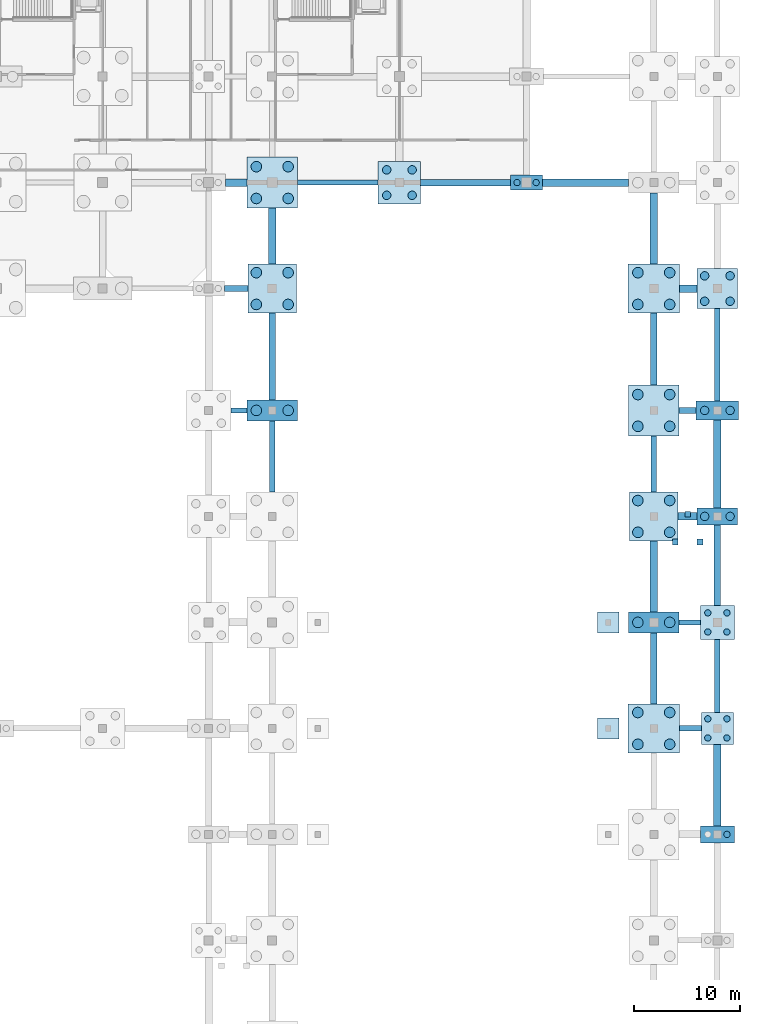
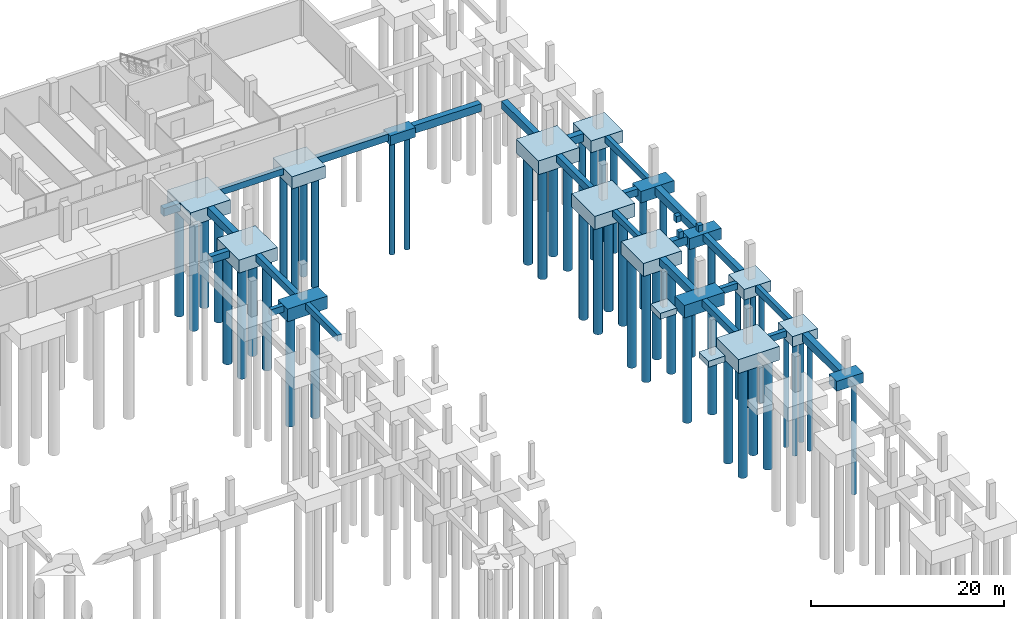
# One storey, part 7 of 19: 51 piles, 45 footings.
"""IFC4 building model written with IfcOpenShell, lengths in metres."""

from ifc_helpers import new_model, si_unit, direction, frame, origin, origin_2d, place, context, subcontext, project, spatial, polyline, rectangle, circle, outline, extrude, material, material_profile, profile_set, type_object, element, save


model = new_model("IFC4")

# Units and contexts
model_context = context("Model", 3, precision=1e-05, world=origin(), true_north=direction((0.0, 1.0)))
body_context = subcontext(model_context, "Body", "Model", "MODEL_VIEW")
ifc_project = project(units=[si_unit("LENGTHUNIT", "METRE"), si_unit("AREAUNIT", "SQUARE_METRE"), si_unit("VOLUMEUNIT", "CUBIC_METRE"), si_unit("PLANEANGLEUNIT", "RADIAN"), si_unit("MASSUNIT", "GRAM", prefix="KILO")], contexts=[model_context])

# Site, building, storey
site_placement = place(None, origin())
site = spatial("IfcSite", under=ifc_project, at=site_placement, CompositionType="ELEMENT")
building_placement = place(site_placement, origin())
building = spatial("IfcBuilding", under=site, at=building_placement, Name="Mersad Railyard Sports Hall", CompositionType="ELEMENT")
storey_placement = place(building_placement, frame((0.0, 0.0, -4.5)))
storey = spatial("IfcBuildingStorey", under=building, at=storey_placement, Name="B1", CompositionType="ELEMENT", Elevation=-4.5)

# Footings
ifc_material = material(Name="Concrete C40/50", Category="concrete")
footing_type_1 = type_object("IfcFootingType", Name="STR-FT-FB01", PredefinedType="FOOTING_BEAM", material=ifc_material)
footing_1_placement = place(storey_placement, frame((0.0, 0.0, -0.800048828125)))
element("IfcFooting", 1, at=footing_1_placement, inside=storey, type_object=footing_type_1, Name="Ground beam FB01-0043", PredefinedType="FOOTING_BEAM", context=body_context, shape_type="SweptSolid", body=[
    extrude(outline(polyline([(175.449951171875, 43.25), (177.5, 43.25), (177.5, 43.75), (175.449951171875, 43.75), (175.449951171875, 43.25)])), origin(), (0.0, 0.0, 1.0), 0.800048828125),
])
footing_2_placement = place(storey_placement, frame((0.0, 0.0, -0.800048828125)))
element("IfcFooting", 2, at=footing_2_placement, inside=storey, type_object=footing_type_1, Name="Ground beam FB01-0052", PredefinedType="FOOTING_BEAM", context=body_context, shape_type="SweptSolid", body=[
    extrude(outline(polyline([(175.39990234375, 53.25), (177.39990234375, 53.25), (177.39990234375, 53.75), (175.39990234375, 53.75), (175.39990234375, 53.25)])), origin(), (0.0, 0.0, 1.0), 0.800048828125),
])
footing_3_placement = place(storey_placement, frame((0.0, 0.0, -0.800048828125)))
element("IfcFooting", 3, at=footing_3_placement, inside=storey, type_object=footing_type_1, Name="Ground beam FB01-0055", PredefinedType="FOOTING_BEAM", context=body_context, shape_type="SweptSolid", body=[
    extrude(outline(polyline([(133.10009765625, 73.25), (134.60009765625, 73.25), (134.60009765625, 73.75), (133.10009765625, 73.75), (133.10009765625, 73.25)])), origin(), (0.0, 0.0, 1.0), 0.800048828125),
])
footing_4_placement = place(storey_placement, frame((0.0, 0.0, -0.800048828125)))
element("IfcFooting", 4, at=footing_4_placement, inside=storey, type_object=footing_type_1, Name="Ground beam FB01-0076", PredefinedType="FOOTING_BEAM", context=body_context, shape_type="SweptSolid", body=[
    extrude(outline(polyline([(139.39990234375, 94.75), (147.0, 94.75), (147.0, 95.25), (139.39990234375, 95.25), (139.39990234375, 94.75)])), origin(), (0.0, 0.0, 1.0), 0.800048828125),
])
footing_5_placement = place(storey_placement, frame((0.0, 0.0, -0.800048828125)))
element("IfcFooting", 5, at=footing_5_placement, inside=storey, type_object=footing_type_1, Name="Ground beam FB01-0166", PredefinedType="FOOTING_BEAM", context=body_context, shape_type="SweptSolid", body=[
    extrude(outline(polyline([(136.75, 65.800048828125), (137.25, 65.800048828125), (137.25, 72.5), (136.75, 72.5), (136.75, 65.800048828125)])), origin(), (0.0, 0.0, 1.0), 0.800048828125),
])
footing_6_placement = place(storey_placement, frame((0.0, 0.0, -0.800048828125)))
element("IfcFooting", 6, at=footing_6_placement, inside=storey, type_object=footing_type_1, Name="Ground beam FB01-0181", PredefinedType="FOOTING_BEAM", context=body_context, shape_type="SweptSolid", body=[
    extrude(outline(polyline([(172.75, 65.800048828125), (173.25, 65.800048828125), (173.25, 71.10009765625), (172.75, 71.10009765625), (172.75, 65.800048828125)])), origin(), (0.0, 0.0, 1.0), 0.800048828125),
])
footing_7_placement = place(storey_placement, frame((0.0, 0.0, -0.800048828125)))
element("IfcFooting", 7, at=footing_7_placement, inside=storey, type_object=footing_type_1, Name="Ground beam FB01-0190", PredefinedType="FOOTING_BEAM", context=body_context, shape_type="SweptSolid", body=[
    extrude(outline(polyline([(178.75, 45.0), (179.25, 45.0), (179.25, 51.89990234375), (178.75, 51.89990234375), (178.75, 45.0)])), origin(), (0.0, 0.0, 1.0), 0.800048828125),
])
footing_8_placement = place(storey_placement, frame((0.0, 0.0, -0.800048828125)))
element("IfcFooting", 8, at=footing_8_placement, inside=storey, type_object=footing_type_1, Name="Ground beam FB01-0193", PredefinedType="FOOTING_BEAM", context=body_context, shape_type="SweptSolid", body=[
    extrude(outline(polyline([(178.75, 74.39990234375), (179.25, 74.39990234375), (179.25, 83.10009765625), (178.75, 83.10009765625), (178.75, 74.39990234375)])), origin(), (0.0, 0.0, 1.0), 0.800048828125),
])
footing_type_2 = type_object("IfcFootingType", Name="STR-FT-FB02", PredefinedType="FOOTING_BEAM", material=ifc_material)
footing_9_placement = place(storey_placement, frame((0.0, 0.0, -0.89990234375)))
element("IfcFooting", 9, at=footing_9_placement, inside=storey, type_object=footing_type_2, Name="Ground beam FB02-0056", PredefinedType="FOOTING_BEAM", context=body_context, shape_type="SweptSolid", body=[
    extrude(outline(polyline([(175.39990234375, 73.199951171875), (177.0, 73.199951171875), (177.0, 73.800048828125), (175.39990234375, 73.800048828125), (175.39990234375, 73.199951171875)])), origin(), (0.0, 0.0, 1.0), 0.89990234375),
])
footing_10_placement = place(storey_placement, frame((0.0, 0.0, -0.89990234375)))
element("IfcFooting", 10, at=footing_10_placement, inside=storey, type_object=footing_type_2, Name="Ground beam FB02-0065", PredefinedType="FOOTING_BEAM", context=body_context, shape_type="SweptSolid", body=[
    extrude(outline(polyline([(132.5, 84.699951171875), (134.699951171875, 84.699951171875), (134.699951171875, 85.300048828125), (132.5, 85.300048828125), (132.5, 84.699951171875)])), origin(), (0.0, 0.0, 1.0), 0.89990234375),
])
footing_11_placement = place(storey_placement, frame((0.0, 0.0, -0.89990234375)))
element("IfcFooting", 11, at=footing_11_placement, inside=storey, type_object=footing_type_2, Name="Ground beam FB02-0077", PredefinedType="FOOTING_BEAM", context=body_context, shape_type="SweptSolid", body=[
    extrude(outline(polyline([(151.0, 94.699951171875), (159.5, 94.699951171875), (159.5, 95.300048828125), (151.0, 95.300048828125), (151.0, 94.699951171875)])), origin(), (0.0, 0.0, 1.0), 0.89990234375),
])
footing_12_placement = place(storey_placement, frame((0.0, 0.0, -0.89990234375)))
element("IfcFooting", 12, at=footing_12_placement, inside=storey, type_object=footing_type_2, Name="Ground beam FB02-0167", PredefinedType="FOOTING_BEAM", context=body_context, shape_type="SweptSolid", body=[
    extrude(outline(polyline([(136.699951171875, 74.5), (137.300048828125, 74.5), (137.300048828125, 82.699951171875), (136.699951171875, 82.699951171875), (136.699951171875, 74.5)])), origin(), (0.0, 0.0, 1.0), 0.89990234375),
])
footing_13_placement = place(storey_placement, frame((0.0, 0.0, -0.89990234375)))
element("IfcFooting", 13, at=footing_13_placement, inside=storey, type_object=footing_type_2, Name="Ground beam FB02-0179", PredefinedType="FOOTING_BEAM", context=body_context, shape_type="SweptSolid", body=[
    extrude(outline(polyline([(172.699951171875, 45.800048828125), (173.300048828125, 45.800048828125), (173.300048828125, 52.5), (172.699951171875, 52.5), (172.699951171875, 45.800048828125)])), origin(), (0.0, 0.0, 1.0), 0.89990234375),
])
footing_14_placement = place(storey_placement, frame((0.0, 0.0, -0.89990234375)))
element("IfcFooting", 14, at=footing_14_placement, inside=storey, type_object=footing_type_2, Name="Ground beam FB02-0182", PredefinedType="FOOTING_BEAM", context=body_context, shape_type="SweptSolid", body=[
    extrude(outline(polyline([(172.699951171875, 75.89990234375), (173.300048828125, 75.89990234375), (173.300048828125, 82.699951171875), (172.699951171875, 82.699951171875), (172.699951171875, 75.89990234375)])), origin(), (0.0, 0.0, 1.0), 0.89990234375),
])
footing_15_placement = place(storey_placement, frame((0.0, 0.0, -0.89990234375)))
element("IfcFooting", 15, at=footing_15_placement, inside=storey, type_object=footing_type_2, Name="Ground beam FB02-0191", PredefinedType="FOOTING_BEAM", context=body_context, shape_type="SweptSolid", body=[
    extrude(outline(polyline([(178.699951171875, 55.10009765625), (179.300048828125, 55.10009765625), (179.300048828125, 62.699951171875), (178.699951171875, 62.699951171875), (178.699951171875, 55.10009765625)])), origin(), (0.0, 0.0, 1.0), 0.89990234375),
])
footing_type_3 = type_object("IfcFootingType", Name="STR-FT-FB03", PredefinedType="FOOTING_BEAM", material=ifc_material)
footing_16_placement = place(storey_placement, frame((0.0, 0.0, -1.0)))
element("IfcFooting", 16, at=footing_16_placement, inside=storey, type_object=footing_type_3, Name="Ground beam FB03-0054", PredefinedType="FOOTING_BEAM", context=body_context, shape_type="SweptSolid", body=[
    extrude(outline(polyline([(175.300048828125, 63.14990234375), (177.10009765625, 63.14990234375), (177.10009765625, 63.85009765625), (175.300048828125, 63.85009765625), (175.300048828125, 63.14990234375)])), origin(), (0.0, 0.0, 1.0), 1.0),
])
footing_17_placement = place(storey_placement, frame((0.0, 0.0, -1.0)))
element("IfcFooting", 17, at=footing_17_placement, inside=storey, type_object=footing_type_3, Name="Ground beam FB03-0066", PredefinedType="FOOTING_BEAM", context=body_context, shape_type="SweptSolid", body=[
    extrude(outline(polyline([(175.449951171875, 84.64990234375), (177.10009765625, 84.64990234375), (177.10009765625, 85.35009765625), (175.449951171875, 85.35009765625), (175.449951171875, 84.64990234375)])), origin(), (0.0, 0.0, 1.0), 1.0),
])
footing_18_placement = place(storey_placement, frame((0.0, 0.0, -1.0)))
element("IfcFooting", 18, at=footing_18_placement, inside=storey, type_object=footing_type_3, Name="Ground beam FB03-0075", PredefinedType="FOOTING_BEAM", context=body_context, shape_type="SweptSolid", body=[
    extrude(outline(polyline([(132.60009765625, 94.64990234375), (134.60009765625, 94.64990234375), (134.60009765625, 95.35009765625), (132.60009765625, 95.35009765625), (132.60009765625, 94.64990234375)])), origin(), (0.0, 0.0, 1.0), 1.0),
])
footing_19_placement = place(storey_placement, frame((0.0, 0.0, -1.0)))
element("IfcFooting", 19, at=footing_19_placement, inside=storey, type_object=footing_type_3, Name="Ground beam FB03-0078", PredefinedType="FOOTING_BEAM", context=body_context, shape_type="SweptSolid", body=[
    extrude(outline(polyline([(162.5, 94.64990234375), (170.60009765625, 94.64990234375), (170.60009765625, 95.35009765625), (162.5, 95.35009765625), (162.5, 94.64990234375)])), origin(), (0.0, 0.0, 1.0), 1.0),
])
footing_20_placement = place(storey_placement, frame((0.0, 0.0, -1.0)))
element("IfcFooting", 20, at=footing_20_placement, inside=storey, type_object=footing_type_3, Name="Ground beam FB03-0168", PredefinedType="FOOTING_BEAM", context=body_context, shape_type="SweptSolid", body=[
    extrude(outline(polyline([(136.64990234375, 87.300048828125), (137.35009765625, 87.300048828125), (137.35009765625, 92.60009765625), (136.64990234375, 92.60009765625), (136.64990234375, 87.300048828125)])), origin(), (0.0, 0.0, 1.0), 1.0),
])
footing_21_placement = place(storey_placement, frame((0.0, 0.0, -1.0)))
element("IfcFooting", 21, at=footing_21_placement, inside=storey, type_object=footing_type_3, Name="Ground beam FB03-0180", PredefinedType="FOOTING_BEAM", context=body_context, shape_type="SweptSolid", body=[
    extrude(outline(polyline([(172.64990234375, 54.5), (173.35009765625, 54.5), (173.35009765625, 61.199951171875), (172.64990234375, 61.199951171875), (172.64990234375, 54.5)])), origin(), (0.0, 0.0, 1.0), 1.0),
])
footing_22_placement = place(storey_placement, frame((0.0, 0.0, -1.0)))
element("IfcFooting", 22, at=footing_22_placement, inside=storey, type_object=footing_type_3, Name="Ground beam FB03-0183", PredefinedType="FOOTING_BEAM", context=body_context, shape_type="SweptSolid", body=[
    extrude(outline(polyline([(172.64990234375, 87.300048828125), (173.35009765625, 87.300048828125), (173.35009765625, 94.0), (172.64990234375, 94.0), (172.64990234375, 87.300048828125)])), origin(), (0.0, 0.0, 1.0), 1.0),
])
footing_23_placement = place(storey_placement, frame((0.0, 0.0, -1.0)))
element("IfcFooting", 23, at=footing_23_placement, inside=storey, type_object=footing_type_3, Name="Ground beam FB03-0189", PredefinedType="FOOTING_BEAM", context=body_context, shape_type="SweptSolid", body=[
    extrude(outline(polyline([(178.64990234375, 34.300048828125), (179.35009765625, 34.300048828125), (179.35009765625, 42.0), (178.64990234375, 42.0), (178.64990234375, 34.300048828125)])), origin(), (0.0, 0.0, 1.0), 1.0),
])
footing_24_placement = place(storey_placement, frame((0.0, 0.0, -1.0)))
element("IfcFooting", 24, at=footing_24_placement, inside=storey, type_object=footing_type_3, Name="Ground beam FB03-0192", PredefinedType="FOOTING_BEAM", context=body_context, shape_type="SweptSolid", body=[
    extrude(outline(polyline([(178.64990234375, 64.300048828125), (179.35009765625, 64.300048828125), (179.35009765625, 72.60009765625), (178.64990234375, 72.60009765625), (178.64990234375, 64.300048828125)])), origin(), (0.0, 0.0, 1.0), 1.0),
])
footing_type_4 = type_object("IfcFootingType", Name="STR-FT-PC01", PredefinedType="PILE_CAP", material=ifc_material)
footing_25_placement = place(storey_placement, frame((161.0, 95.0, -1.2001953125), z_axis=(0.0, 0.0, 1.0), x_axis=(1.0, 0.0, 0.0)))
element("IfcFooting", 25, at=footing_25_placement, inside=storey, type_object=footing_type_4, Name="Pile cap PC01 at (161.0,95.0)", PredefinedType="PILE_CAP", context=body_context, shape_type="SweptSolid", body=[
    extrude(rectangle(XDim=3.0, YDim=1.39990234375, at=origin_2d()), origin(), (0.0, 0.0, 1.0), 1.199951171875),
])
footing_type_5 = type_object("IfcFootingType", Name="STR-FT-PC02", PredefinedType="PILE_CAP", material=ifc_material)
footing_26_placement = place(storey_placement, frame((179.0, 33.5, -1.25), z_axis=(0.0, 0.0, 1.0), x_axis=(1.0, 0.0, 0.0)))
element("IfcFooting", 26, at=footing_26_placement, inside=storey, type_object=footing_type_5, Name="Pile cap PC02 at (179.0,33.5)", PredefinedType="PILE_CAP", context=body_context, shape_type="SweptSolid", body=[
    extrude(rectangle(XDim=3.199951171875, YDim=1.60009765625, at=origin_2d()), origin(), (0.0, 0.0, 1.0), 1.25),
])
footing_type_6 = type_object("IfcFootingType", Name="STR-FT-PC03", PredefinedType="PILE_CAP", material=ifc_material)
footing_27_placement = place(storey_placement, frame((179.0, 43.5, -1.2998046875), z_axis=(0.0, 0.0, 1.0), x_axis=(1.0, 0.0, 0.0)))
element("IfcFooting", 27, at=footing_27_placement, inside=storey, type_object=footing_type_6, Name="Pile cap PC03 at (179.0,43.5)", PredefinedType="PILE_CAP", context=body_context, shape_type="SweptSolid", body=[
    extrude(rectangle(XDim=3.0, YDim=3.0, at=origin_2d()), origin(), (0.0, 0.0, 1.0), 1.300048828125),
])
footing_type_7 = type_object("IfcFootingType", Name="STR-FT-PC04", PredefinedType="PILE_CAP", material=ifc_material)
footing_28_placement = place(storey_placement, frame((179.0, 53.5, -1.35009765625), z_axis=(0.0, 0.0, 1.0), x_axis=(1.0, 0.0, 0.0)))
element("IfcFooting", 28, at=footing_28_placement, inside=storey, type_object=footing_type_7, Name="Pile cap PC04 at (179.0,53.5)", PredefinedType="PILE_CAP", context=body_context, shape_type="SweptSolid", body=[
    extrude(rectangle(XDim=3.199951171875, YDim=3.199951171875, at=origin_2d()), origin(), (0.0, 0.0, 1.0), 1.35009765625),
])
footing_type_8 = type_object("IfcFootingType", Name="STR-FT-PC05", PredefinedType="PILE_CAP", material=ifc_material)
footing_29_placement = place(storey_placement, frame((179.0, 63.5, -1.39990234375), z_axis=(0.0, 0.0, 1.0), x_axis=(1.0, 0.0, 0.0)))
element("IfcFooting", 29, at=footing_29_placement, inside=storey, type_object=footing_type_8, Name="Pile cap PC05 at (179.0,63.5)", PredefinedType="PILE_CAP", context=body_context, shape_type="SweptSolid", body=[
    extrude(rectangle(XDim=3.800048828125, YDim=1.60009765625, at=origin_2d()), origin(), (0.0, 0.0, 1.0), 1.39990234375),
])
footing_type_9 = type_object("IfcFootingType", Name="STR-FT-PC06", PredefinedType="PILE_CAP", material=ifc_material)
footing_30_placement = place(storey_placement, frame((179.0, 73.5, -1.4501953125), z_axis=(0.0, 0.0, 1.0), x_axis=(1.0, 0.0, 0.0)))
element("IfcFooting", 30, at=footing_30_placement, inside=storey, type_object=footing_type_9, Name="Pile cap PC06 at (179.0,73.5)", PredefinedType="PILE_CAP", context=body_context, shape_type="SweptSolid", body=[
    extrude(rectangle(XDim=4.0, YDim=1.800048828125, at=origin_2d()), origin(), (0.0, 0.0, 1.0), 1.449951171875),
])
footing_type_10 = type_object("IfcFootingType", Name="STR-FT-PC07", PredefinedType="PILE_CAP", material=ifc_material)
footing_31_placement = place(storey_placement, frame((179.0, 85.0, -1.5), z_axis=(0.0, 0.0, 1.0), x_axis=(1.0, 0.0, 0.0)))
element("IfcFooting", 31, at=footing_31_placement, inside=storey, type_object=footing_type_10, Name="Pile cap PC07 at (179.0,85.0)", PredefinedType="PILE_CAP", context=body_context, shape_type="SweptSolid", body=[
    extrude(rectangle(XDim=3.800048828125, YDim=3.800048828125, at=origin_2d()), origin(), (0.0, 0.0, 1.0), 1.5),
])
footing_type_11 = type_object("IfcFootingType", Name="STR-FT-PC08", PredefinedType="PILE_CAP", material=ifc_material)
footing_32_placement = place(storey_placement, frame((149.0, 95.0, -1.5498046875), z_axis=(0.0, 0.0, 1.0), x_axis=(1.0, 0.0, 0.0)))
element("IfcFooting", 32, at=footing_32_placement, inside=storey, type_object=footing_type_11, Name="Pile cap PC08 at (149.0,95.0)", PredefinedType="PILE_CAP", context=body_context, shape_type="SweptSolid", body=[
    extrude(rectangle(XDim=4.0, YDim=4.0, at=origin_2d()), origin(), (0.0, 0.0, 1.0), 1.550048828125),
])
footing_type_12 = type_object("IfcFootingType", Name="STR-FT-PC11", PredefinedType="PILE_CAP", material=ifc_material)
for number, where, z_axis, x_axis, name in (
    (33, (137.0, 73.5, -1.60009765625), (0.0, 0.0, 1.0), (1.0, 0.0, 0.0), "Pile cap PC11 at (137.0,73.5)"),
    (34, (173.0, 53.5, -1.60009765625), (0.0, 0.0, 1.0), (1.0, 0.0, 0.0), "Pile cap PC11 at (173.0,53.5)"),
):
    element("IfcFooting", number, at=place(storey_placement, frame(where, z_axis=z_axis, x_axis=x_axis)), inside=storey, type_object=footing_type_12, Name=name, PredefinedType="PILE_CAP", context=body_context, shape_type="SweptSolid", body=[
        extrude(rectangle(XDim=4.800048828125, YDim=2.0, at=origin_2d()), origin(), (0.0, 0.0, 1.0), 1.60009765625),
    ])
footing_type_13 = type_object("IfcFootingType", Name="STR-FT-PC12", PredefinedType="PILE_CAP", material=ifc_material)
for number, where, z_axis, x_axis, name in (
    (35, (137.0, 85.0, -1.64990234375), (0.0, 0.0, 1.0), (1.0, 0.0, 0.0), "Pile cap PC12 at (137.0,85.0)"),
    (36, (173.0, 63.5, -1.64990234375), (0.0, 0.0, 1.0), (1.0, 0.0, 0.0), "Pile cap PC12 at (173.0,63.5)"),
):
    element("IfcFooting", number, at=place(storey_placement, frame(where, z_axis=z_axis, x_axis=x_axis)), inside=storey, type_object=footing_type_13, Name=name, PredefinedType="PILE_CAP", context=body_context, shape_type="SweptSolid", body=[
        extrude(rectangle(XDim=4.60009765625, YDim=4.60009765625, at=origin_2d()), origin(), (0.0, 0.0, 1.0), 1.64990234375),
    ])
footing_type_14 = type_object("IfcFootingType", Name="STR-FT-PC13", PredefinedType="PILE_CAP", material=ifc_material)
for number, where, z_axis, x_axis, name in (
    (37, (137.0, 95.0, -1.7001953125), (0.0, 0.0, 1.0), (1.0, 0.0, 0.0), "Pile cap PC13 at (137.0,95.0)"),
    (38, (173.0, 73.5, -1.7001953125), (0.0, 0.0, 1.0), (1.0, 0.0, 0.0), "Pile cap PC13 at (173.0,73.5)"),
):
    element("IfcFooting", number, at=place(storey_placement, frame(where, z_axis=z_axis, x_axis=x_axis)), inside=storey, type_object=footing_type_14, Name=name, PredefinedType="PILE_CAP", context=body_context, shape_type="SweptSolid", body=[
        extrude(rectangle(XDim=4.800048828125, YDim=4.800048828125, at=origin_2d()), origin(), (0.0, 0.0, 1.0), 1.699951171875),
    ])
footing_type_15 = type_object("IfcFootingType", Name="STR-FT-PC14", PredefinedType="PILE_CAP", material=ifc_material)
for number, where, z_axis, x_axis, name in (
    (39, (173.0, 43.5, -1.75), (0.0, 0.0, 1.0), (1.0, 0.0, 0.0), "Pile cap PC14 at (173.0,43.5)"),
    (40, (173.0, 85.0, -1.75), (0.0, 0.0, 1.0), (1.0, 0.0, 0.0), "Pile cap PC14 at (173.0,85.0)"),
):
    element("IfcFooting", number, at=place(storey_placement, frame(where, z_axis=z_axis, x_axis=x_axis)), inside=storey, type_object=footing_type_15, Name=name, PredefinedType="PILE_CAP", context=body_context, shape_type="SweptSolid", body=[
        extrude(rectangle(XDim=4.89990234375, YDim=4.60009765625, at=origin_2d()), origin(), (0.0, 0.0, 1.0), 1.75),
    ])
footing_type_16 = type_object("IfcFootingType", Name="STR-FT-PF01", PredefinedType="PAD_FOOTING", material=ifc_material)
for number, where, z_axis, x_axis, name in (
    (41, (175.02490234375, 61.10009765625, 1.9501953125), (0.0, 0.0, 1.0), (1.0, 0.0, 0.0), "Lift PL-06 pit corner pad 1"),
    (42, (177.375, 61.10009765625, 1.9501953125), (0.0, 0.0, 1.0), (1.0, 0.0, 0.0), "Lift PL-06 pit corner pad 2"),
    (43, (176.199951171875, 63.699951171875, 1.9501953125), (0.0, 0.0, 1.0), (1.0, 0.0, 0.0), "Lift PL-06 pit corner pad 3"),
):
    element("IfcFooting", number, at=place(storey_placement, frame(where, z_axis=z_axis, x_axis=x_axis)), inside=storey, type_object=footing_type_16, Name=name, PredefinedType="PAD_FOOTING", context=body_context, shape_type="SweptSolid", body=[
        extrude(rectangle(XDim=0.550048828125, YDim=0.550048828125, at=origin_2d()), origin(), (0.0, 0.0, 1.0), 0.800048828125),
    ])
footing_type_17 = type_object("IfcFootingType", Name="STR-FT-PF02", PredefinedType="PAD_FOOTING", material=ifc_material)
for number, where, z_axis, x_axis, name in (
    (44, (168.699951171875, 43.5, -0.75), (0.0, 0.0, 1.0), (1.0, 0.0, 0.0), "Stand raker pad footing PF02 (168.7,43.5)"),
    (45, (168.699951171875, 53.5, -0.75), (0.0, 0.0, 1.0), (1.0, 0.0, 0.0), "Stand raker pad footing PF02 (168.7,53.5)"),
):
    element("IfcFooting", number, at=place(storey_placement, frame(where, z_axis=z_axis, x_axis=x_axis)), inside=storey, type_object=footing_type_17, Name=name, PredefinedType="PAD_FOOTING", context=body_context, shape_type="SweptSolid", body=[
        extrude(rectangle(XDim=2.0, YDim=2.0, at=origin_2d()), origin(), (0.0, 0.0, 1.0), 0.75),
    ])

# Piles
ifc_material_profile_1 = material_profile(ifc_material, circle(Radius=0.5, at=origin_2d()), Name="BORED PILE D1000")
ifc_profile_set_1 = profile_set([ifc_material_profile_1], Name="Concrete C40/50")
pile_type_1 = type_object("IfcPileType", Name="STR-PL-P1000", PredefinedType="BORED", material=ifc_profile_set_1)
for number, where, z_axis, x_axis, name in (
    (46, (135.5, 73.5, -1.449951171875), (0.0, 0.0, -1.0), (1.0, 0.0, 0.0), "Bored pile PL03-0291"),
    (47, (138.5, 73.5, -1.449951171875), (0.0, 0.0, -1.0), (1.0, 0.0, 0.0), "Bored pile PL03-0292"),
):
    element("IfcPile", number, at=place(storey_placement, frame(where, z_axis=z_axis, x_axis=x_axis)), inside=storey, type_object=pile_type_1, Name=name, PredefinedType="BORED", context=body_context, shape_type="SweptSolid", body=[
        extrude(circle(Radius=0.5, at=origin_2d()), origin(), (0.0, 0.0, 1.0), 14.050048828125),
    ])
for number, where, z_axis, x_axis, name in (
    (48, (135.5, 83.5, -1.5), (0.0, 0.0, -1.0), (1.0, 0.0, 0.0), "Bored pile PL03-0293"),
    (49, (138.5, 83.5, -1.5), (0.0, 0.0, -1.0), (1.0, 0.0, 0.0), "Bored pile PL03-0294"),
    (50, (135.5, 86.5, -1.5), (0.0, 0.0, -1.0), (1.0, 0.0, 0.0), "Bored pile PL03-0295"),
    (51, (138.5, 86.5, -1.5), (0.0, 0.0, -1.0), (1.0, 0.0, 0.0), "Bored pile PL03-0296"),
):
    element("IfcPile", number, at=place(storey_placement, frame(where, z_axis=z_axis, x_axis=x_axis)), inside=storey, type_object=pile_type_1, Name=name, PredefinedType="BORED", context=body_context, shape_type="SweptSolid", body=[
        extrude(circle(Radius=0.5, at=origin_2d()), origin(), (0.0, 0.0, 1.0), 14.0),
    ])
for number, where, z_axis, x_axis, name in (
    (52, (135.5, 93.5, -1.550048828125), (0.0, 0.0, -1.0), (1.0, 0.0, 0.0), "Bored pile PL03-0297"),
    (53, (138.5, 93.5, -1.550048828125), (0.0, 0.0, -1.0), (1.0, 0.0, 0.0), "Bored pile PL03-0298"),
    (54, (135.5, 96.5, -1.550048828125), (0.0, 0.0, -1.0), (1.0, 0.0, 0.0), "Bored pile PL03-0299"),
    (55, (138.5, 96.5, -1.550048828125), (0.0, 0.0, -1.0), (1.0, 0.0, 0.0), "Bored pile PL03-0300"),
):
    element("IfcPile", number, at=place(storey_placement, frame(where, z_axis=z_axis, x_axis=x_axis)), inside=storey, type_object=pile_type_1, Name=name, PredefinedType="BORED", context=body_context, shape_type="SweptSolid", body=[
        extrude(circle(Radius=0.5, at=origin_2d()), origin(), (0.0, 0.0, 1.0), 13.949951171875),
    ])
for number, where, z_axis, x_axis, name in (
    (56, (171.5, 42.0, -1.60009765625), (0.0, 0.0, -1.0), (1.0, 0.0, 0.0), "Bored pile PL03-0339"),
    (57, (174.5, 42.0, -1.60009765625), (0.0, 0.0, -1.0), (1.0, 0.0, 0.0), "Bored pile PL03-0340"),
    (58, (171.5, 45.0, -1.60009765625), (0.0, 0.0, -1.0), (1.0, 0.0, 0.0), "Bored pile PL03-0341"),
    (59, (174.5, 45.0, -1.60009765625), (0.0, 0.0, -1.0), (1.0, 0.0, 0.0), "Bored pile PL03-0342"),
):
    element("IfcPile", number, at=place(storey_placement, frame(where, z_axis=z_axis, x_axis=x_axis)), inside=storey, type_object=pile_type_1, Name=name, PredefinedType="BORED", context=body_context, shape_type="SweptSolid", body=[
        extrude(circle(Radius=0.5, at=origin_2d()), origin(), (0.0, 0.0, 1.0), 13.89990234375),
    ])
for number, where, z_axis, x_axis, name in (
    (60, (171.5, 53.5, -1.449951171875), (0.0, 0.0, -1.0), (1.0, 0.0, 0.0), "Bored pile PL03-0343"),
    (61, (174.5, 53.5, -1.449951171875), (0.0, 0.0, -1.0), (1.0, 0.0, 0.0), "Bored pile PL03-0344"),
):
    element("IfcPile", number, at=place(storey_placement, frame(where, z_axis=z_axis, x_axis=x_axis)), inside=storey, type_object=pile_type_1, Name=name, PredefinedType="BORED", context=body_context, shape_type="SweptSolid", body=[
        extrude(circle(Radius=0.5, at=origin_2d()), origin(), (0.0, 0.0, 1.0), 14.050048828125),
    ])
for number, where, z_axis, x_axis, name in (
    (62, (171.5, 62.0, -1.5), (0.0, 0.0, -1.0), (1.0, 0.0, 0.0), "Bored pile PL03-0345"),
    (63, (174.5, 62.0, -1.5), (0.0, 0.0, -1.0), (1.0, 0.0, 0.0), "Bored pile PL03-0346"),
    (64, (171.5, 65.0, -1.5), (0.0, 0.0, -1.0), (1.0, 0.0, 0.0), "Bored pile PL03-0347"),
    (65, (174.5, 65.0, -1.5), (0.0, 0.0, -1.0), (1.0, 0.0, 0.0), "Bored pile PL03-0348"),
):
    element("IfcPile", number, at=place(storey_placement, frame(where, z_axis=z_axis, x_axis=x_axis)), inside=storey, type_object=pile_type_1, Name=name, PredefinedType="BORED", context=body_context, shape_type="SweptSolid", body=[
        extrude(circle(Radius=0.5, at=origin_2d()), origin(), (0.0, 0.0, 1.0), 14.0),
    ])
for number, where, z_axis, x_axis, name in (
    (66, (171.5, 72.0, -1.550048828125), (0.0, 0.0, -1.0), (1.0, 0.0, 0.0), "Bored pile PL03-0349"),
    (67, (174.5, 72.0, -1.550048828125), (0.0, 0.0, -1.0), (1.0, 0.0, 0.0), "Bored pile PL03-0350"),
    (68, (171.5, 75.0, -1.550048828125), (0.0, 0.0, -1.0), (1.0, 0.0, 0.0), "Bored pile PL03-0351"),
    (69, (174.5, 75.0, -1.550048828125), (0.0, 0.0, -1.0), (1.0, 0.0, 0.0), "Bored pile PL03-0352"),
):
    element("IfcPile", number, at=place(storey_placement, frame(where, z_axis=z_axis, x_axis=x_axis)), inside=storey, type_object=pile_type_1, Name=name, PredefinedType="BORED", context=body_context, shape_type="SweptSolid", body=[
        extrude(circle(Radius=0.5, at=origin_2d()), origin(), (0.0, 0.0, 1.0), 13.949951171875),
    ])
for number, where, z_axis, x_axis, name in (
    (70, (171.5, 83.5, -1.60009765625), (0.0, 0.0, -1.0), (1.0, 0.0, 0.0), "Bored pile PL03-0353"),
    (71, (174.5, 83.5, -1.60009765625), (0.0, 0.0, -1.0), (1.0, 0.0, 0.0), "Bored pile PL03-0354"),
    (72, (171.5, 86.5, -1.60009765625), (0.0, 0.0, -1.0), (1.0, 0.0, 0.0), "Bored pile PL03-0355"),
    (73, (174.5, 86.5, -1.60009765625), (0.0, 0.0, -1.0), (1.0, 0.0, 0.0), "Bored pile PL03-0356"),
):
    element("IfcPile", number, at=place(storey_placement, frame(where, z_axis=z_axis, x_axis=x_axis)), inside=storey, type_object=pile_type_1, Name=name, PredefinedType="BORED", context=body_context, shape_type="SweptSolid", body=[
        extrude(circle(Radius=0.5, at=origin_2d()), origin(), (0.0, 0.0, 1.0), 13.89990234375),
    ])
ifc_material_profile_2 = material_profile(ifc_material, circle(Radius=0.300048828125, at=origin_2d()), Name="BORED PILE D600")
ifc_profile_set_2 = profile_set([ifc_material_profile_2], Name="Concrete C40/50")
pile_type_2 = type_object("IfcPileType", Name="STR-PL-P600", PredefinedType="BORED", material=ifc_profile_set_2)
for number, where, z_axis, x_axis, name in (
    (74, (160.10009765625, 95.0, -1.050048828125), (0.0, 0.0, -1.0), (1.0, 0.0, 0.0), "Bored pile PL01-0317"),
    (75, (161.89990234375, 95.0, -1.050048828125), (0.0, 0.0, -1.0), (1.0, 0.0, 0.0), "Bored pile PL01-0318"),
):
    element("IfcPile", number, at=place(storey_placement, frame(where, z_axis=z_axis, x_axis=x_axis)), inside=storey, type_object=pile_type_2, Name=name, PredefinedType="BORED", context=body_context, shape_type="SweptSolid", body=[
        extrude(circle(Radius=0.300048828125, at=origin_2d()), origin(), (0.0, 0.0, 1.0), 14.449951171875),
    ])
pile_placement = place(storey_placement, frame((179.89990234375, 33.5, -1.10009765625), z_axis=(0.0, 0.0, -1.0), x_axis=(1.0, 0.0, 0.0)))
element("IfcPile", 76, at=pile_placement, inside=storey, type_object=pile_type_2, Name="Bored pile PL01-0378", PredefinedType="BORED", context=body_context, shape_type="SweptSolid", body=[
    extrude(circle(Radius=0.300048828125, at=origin_2d()), origin(), (0.0, 0.0, 1.0), 14.39990234375),
])
for number, where, z_axis, x_axis, name in (
    (77, (178.10009765625, 42.60009765625, -1.14990234375), (0.0, 0.0, -1.0), (1.0, 0.0, 0.0), "Bored pile PL01-0379"),
    (78, (179.89990234375, 42.60009765625, -1.14990234375), (0.0, 0.0, -1.0), (1.0, 0.0, 0.0), "Bored pile PL01-0380"),
    (79, (178.10009765625, 44.39990234375, -1.14990234375), (0.0, 0.0, -1.0), (1.0, 0.0, 0.0), "Bored pile PL01-0381"),
    (80, (179.89990234375, 44.39990234375, -1.14990234375), (0.0, 0.0, -1.0), (1.0, 0.0, 0.0), "Bored pile PL01-0382"),
):
    element("IfcPile", number, at=place(storey_placement, frame(where, z_axis=z_axis, x_axis=x_axis)), inside=storey, type_object=pile_type_2, Name=name, PredefinedType="BORED", context=body_context, shape_type="SweptSolid", body=[
        extrude(circle(Radius=0.300048828125, at=origin_2d()), origin(), (0.0, 0.0, 1.0), 14.35009765625),
    ])
for number, where, z_axis, x_axis, name in (
    (81, (178.10009765625, 52.60009765625, -1.199951171875), (0.0, 0.0, -1.0), (1.0, 0.0, 0.0), "Bored pile PL01-0383"),
    (82, (179.89990234375, 52.60009765625, -1.199951171875), (0.0, 0.0, -1.0), (1.0, 0.0, 0.0), "Bored pile PL01-0384"),
    (83, (178.10009765625, 54.39990234375, -1.199951171875), (0.0, 0.0, -1.0), (1.0, 0.0, 0.0), "Bored pile PL01-0385"),
    (84, (179.89990234375, 54.39990234375, -1.199951171875), (0.0, 0.0, -1.0), (1.0, 0.0, 0.0), "Bored pile PL01-0386"),
):
    element("IfcPile", number, at=place(storey_placement, frame(where, z_axis=z_axis, x_axis=x_axis)), inside=storey, type_object=pile_type_2, Name=name, PredefinedType="BORED", context=body_context, shape_type="SweptSolid", body=[
        extrude(circle(Radius=0.300048828125, at=origin_2d()), origin(), (0.0, 0.0, 1.0), 14.300048828125),
    ])
ifc_material_profile_3 = material_profile(ifc_material, circle(Radius=0.39990234375, at=origin_2d()), Name="BORED PILE D800")
ifc_profile_set_3 = profile_set([ifc_material_profile_3], Name="Concrete C40/50")
pile_type_3 = type_object("IfcPileType", Name="STR-PL-P800", PredefinedType="BORED", material=ifc_profile_set_3)
for number, where, z_axis, x_axis, name in (
    (85, (147.800048828125, 93.800048828125, -1.39990234375), (0.0, 0.0, -1.0), (1.0, 0.0, 0.0), "Bored pile PL02-0307"),
    (86, (150.199951171875, 93.800048828125, -1.39990234375), (0.0, 0.0, -1.0), (1.0, 0.0, 0.0), "Bored pile PL02-0308"),
    (87, (147.800048828125, 96.199951171875, -1.39990234375), (0.0, 0.0, -1.0), (1.0, 0.0, 0.0), "Bored pile PL02-0309"),
    (88, (150.199951171875, 96.199951171875, -1.39990234375), (0.0, 0.0, -1.0), (1.0, 0.0, 0.0), "Bored pile PL02-0310"),
):
    element("IfcPile", number, at=place(storey_placement, frame(where, z_axis=z_axis, x_axis=x_axis)), inside=storey, type_object=pile_type_3, Name=name, PredefinedType="BORED", context=body_context, shape_type="SweptSolid", body=[
        extrude(circle(Radius=0.39990234375, at=origin_2d()), origin(), (0.0, 0.0, 1.0), 14.10009765625),
    ])
for number, where, z_axis, x_axis, name in (
    (89, (177.800048828125, 63.5, -1.25), (0.0, 0.0, -1.0), (1.0, 0.0, 0.0), "Bored pile PL02-0387"),
    (90, (180.199951171875, 63.5, -1.25), (0.0, 0.0, -1.0), (1.0, 0.0, 0.0), "Bored pile PL02-0388"),
):
    element("IfcPile", number, at=place(storey_placement, frame(where, z_axis=z_axis, x_axis=x_axis)), inside=storey, type_object=pile_type_3, Name=name, PredefinedType="BORED", context=body_context, shape_type="SweptSolid", body=[
        extrude(circle(Radius=0.39990234375, at=origin_2d()), origin(), (0.0, 0.0, 1.0), 14.25),
    ])
for number, where, z_axis, x_axis, name in (
    (91, (177.800048828125, 73.5, -1.300048828125), (0.0, 0.0, -1.0), (1.0, 0.0, 0.0), "Bored pile PL02-0389"),
    (92, (180.199951171875, 73.5, -1.300048828125), (0.0, 0.0, -1.0), (1.0, 0.0, 0.0), "Bored pile PL02-0390"),
):
    element("IfcPile", number, at=place(storey_placement, frame(where, z_axis=z_axis, x_axis=x_axis)), inside=storey, type_object=pile_type_3, Name=name, PredefinedType="BORED", context=body_context, shape_type="SweptSolid", body=[
        extrude(circle(Radius=0.39990234375, at=origin_2d()), origin(), (0.0, 0.0, 1.0), 14.199951171875),
    ])
for number, where, z_axis, x_axis, name in (
    (93, (177.800048828125, 83.800048828125, -1.35009765625), (0.0, 0.0, -1.0), (1.0, 0.0, 0.0), "Bored pile PL02-0391"),
    (94, (180.199951171875, 83.800048828125, -1.35009765625), (0.0, 0.0, -1.0), (1.0, 0.0, 0.0), "Bored pile PL02-0392"),
    (95, (177.800048828125, 86.199951171875, -1.35009765625), (0.0, 0.0, -1.0), (1.0, 0.0, 0.0), "Bored pile PL02-0393"),
    (96, (180.199951171875, 86.199951171875, -1.35009765625), (0.0, 0.0, -1.0), (1.0, 0.0, 0.0), "Bored pile PL02-0394"),
):
    element("IfcPile", number, at=place(storey_placement, frame(where, z_axis=z_axis, x_axis=x_axis)), inside=storey, type_object=pile_type_3, Name=name, PredefinedType="BORED", context=body_context, shape_type="SweptSolid", body=[
        extrude(circle(Radius=0.39990234375, at=origin_2d()), origin(), (0.0, 0.0, 1.0), 14.14990234375),
    ])

save(model, "model.ifc")
